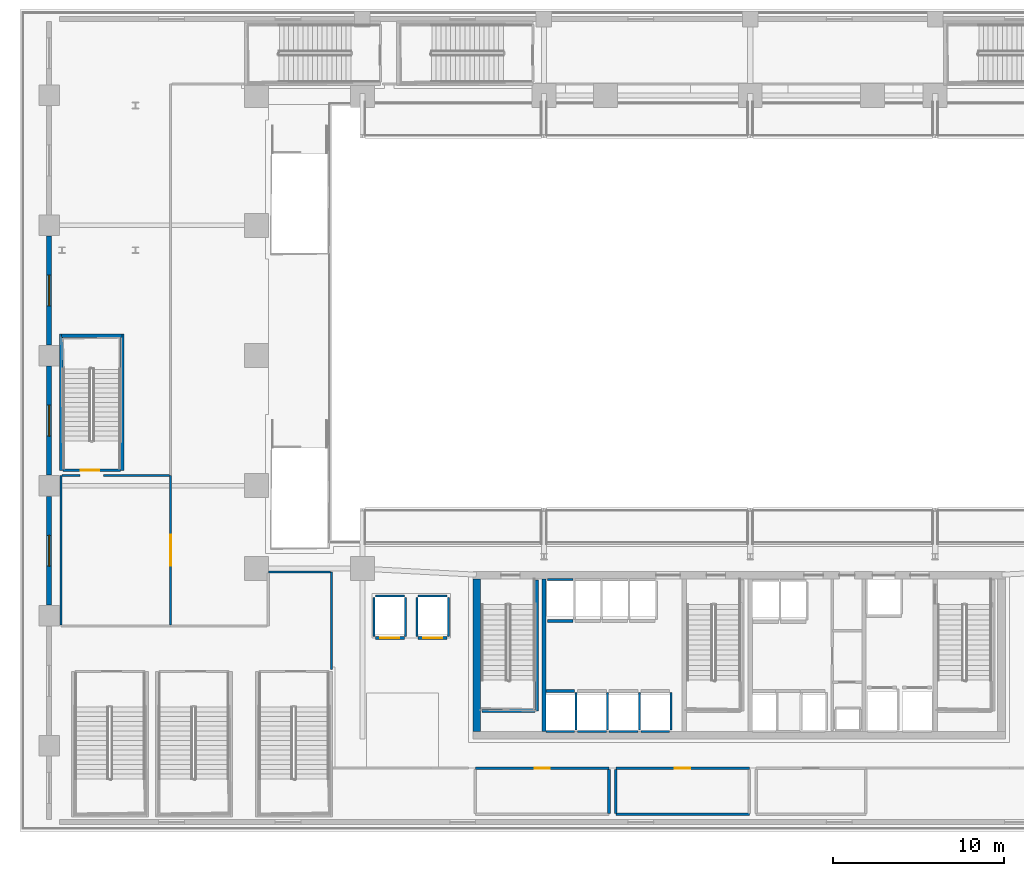
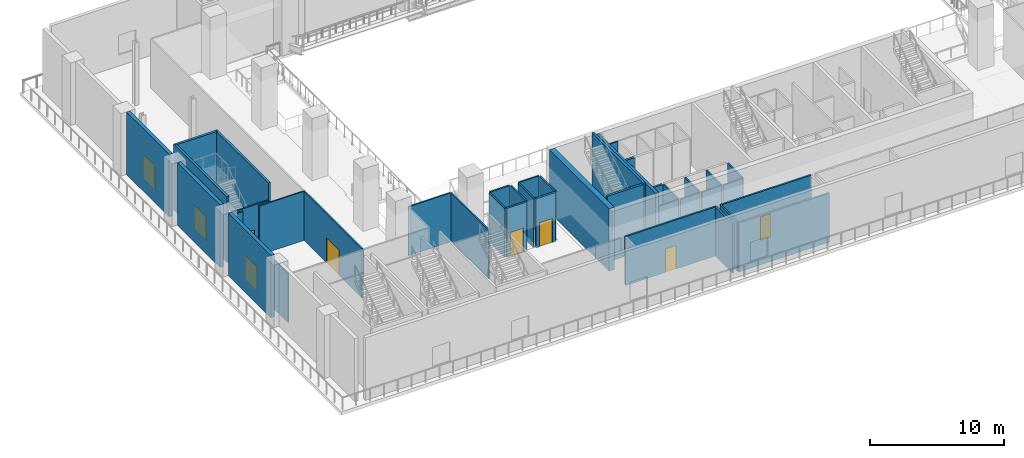
# One storey, part 7 of 28: 41 walls, 6 doors, 3 windows, 9 openings.
"""IFC4 building model written with IfcOpenShell, lengths in metres."""

from ifc_helpers import new_model, si_unit, direction, frame, frame_2d, origin, place, context, subcontext, project, spatial, rectangle, extrude, material, layer, layer_set, type_object, element, fill, save


model = new_model("IFC4")

# Units and contexts
model_context = context("Model", 3, precision=1e-05, world=origin(), true_north=direction((0.0, 1.0)))
body_context = subcontext(model_context, "Body", "Model", "MODEL_VIEW")
ifc_project = project(units=[si_unit("LENGTHUNIT", "METRE"), si_unit("AREAUNIT", "SQUARE_METRE"), si_unit("VOLUMEUNIT", "CUBIC_METRE"), si_unit("PLANEANGLEUNIT", "RADIAN"), si_unit("MASSUNIT", "GRAM", prefix="KILO")], contexts=[model_context])

# Site, building, storey
site_placement = place(None, origin())
site = spatial("IfcSite", under=ifc_project, at=site_placement, CompositionType="ELEMENT")
building_placement = place(site_placement, origin())
building = spatial("IfcBuilding", under=site, at=building_placement, Name="Ndaravel Arena Tower", CompositionType="ELEMENT")
storey_placement = place(building_placement, frame((0.0, 0.0, 18.0)))
storey = spatial("IfcBuildingStorey", under=building, at=storey_placement, Name="L03", CompositionType="ELEMENT", Elevation=18.0)

# Walls
ifc_material_1 = material(Name="Concrete C60/75", Category="concrete")
ifc_layer_1 = layer(ifc_material_1, 0.25)
ifc_layer_set_1 = layer_set([ifc_layer_1], Name="Concrete C60/75")
wall_type_1 = type_object("IfcWallType", Name="WALL-CORE-250", PredefinedType="SOLIDWALL", material=ifc_layer_set_1)
wall_1_placement = place(storey_placement, frame((30.60009765625, 5.85009765625, 0.0), z_axis=(0.0, 0.0, 1.0), x_axis=(0.0, 1.0, 0.0)))
element("IfcWall", 1, at=wall_1_placement, inside=storey, type_object=wall_type_1, Name="L03 Core Web Shear Wall 1", PredefinedType="SOLIDWALL", context=body_context, shape_type="SweptSolid", body=[
    extrude(rectangle(XDim=8.89990234375, YDim=0.25, at=frame_2d((4.449951171875, 0.0))), origin(), (0.0, 0.0, 1.0), 5.699951171875),
])
ifc_material_2 = material(Name="Concrete C60/75", Category="concrete")
ifc_layer_2 = layer(ifc_material_2, 0.449951171875)
ifc_layer_set_2 = layer_set([ifc_layer_2], Name="Concrete C60/75")
wall_type_2 = type_object("IfcWallType", Name="WALL-CORE-450", PredefinedType="SOLIDWALL", material=ifc_layer_set_2)
wall_2_placement = place(storey_placement, frame((26.675048828125, 5.85009765625, 0.0), z_axis=(0.0, 0.0, 1.0), x_axis=(0.0, 1.0, 0.0)))
element("IfcWall", 2, at=wall_2_placement, inside=storey, type_object=wall_type_2, Name="L03 Core West Shear Wall", PredefinedType="SOLIDWALL", context=body_context, shape_type="SweptSolid", body=[
    extrude(rectangle(XDim=8.89990234375, YDim=0.449951171875, at=frame_2d((4.449951171875, 0.0))), origin(), (0.0, 0.0, 1.0), 5.699951171875),
])
ifc_material_3 = material(Name="Gypsum", Category="gypsum")
ifc_layer_3 = layer(ifc_material_3, 0.125)
ifc_layer_set_3 = layer_set([ifc_layer_3], Name="Gypsum")
wall_type_3 = type_object("IfcWallType", Name="WALL-PART-125", PredefinedType="PARTITIONING", material=ifc_layer_set_3)
wall_3_placement = place(storey_placement, frame((18.199951171875, 9.469970703125, 0.0), z_axis=(0.0, 0.0, 1.0), x_axis=(0.0, 1.0, 0.0)))
element("IfcWall", 3, at=wall_3_placement, inside=storey, type_object=wall_type_3, Name="L03 Interior Partition 008", PredefinedType="PARTITIONING", context=body_context, shape_type="SweptSolid", body=[
    extrude(rectangle(XDim=5.679931640625, YDim=0.125, at=frame_2d((2.83984375, 0.0))), origin(), (0.0, 0.0, 1.0), 4.469970703125),
])
wall_4_placement = place(storey_placement, frame((18.135009765625, 15.14990234375, 0.0), z_axis=(0.0, 0.0, 1.0), x_axis=(-1.0, 0.0, 0.0)))
element("IfcWall", 4, at=wall_4_placement, inside=storey, type_object=wall_type_3, Name="L03 Interior Partition 009", PredefinedType="PARTITIONING", context=body_context, shape_type="SweptSolid", body=[
    extrude(rectangle(XDim=3.635009765625, YDim=0.125, at=frame_2d((1.8173828125, 0.0))), origin(), (0.0, 0.0, 1.0), 4.469970703125),
])

# Wall, opening, door
wall_5_placement = place(storey_placement, frame((8.800048828125, 12.06494140625, 0.0), z_axis=(0.0, 0.0, 1.0), x_axis=(0.0, 1.0, 0.0)))
wall_5 = element("IfcWall", 5, at=wall_5_placement, inside=storey, type_object=wall_type_3, Name="L03 Interior Partition 012", PredefinedType="PARTITIONING", context=body_context, shape_type="SweptSolid", body=[
    extrude(rectangle(XDim=8.735107421875, YDim=0.125, at=frame_2d((4.36767578125, 0.0))), origin(), (0.0, 0.0, 1.0), 4.469970703125),
])
opening_1_placement = place(wall_5_placement, frame((3.467529296875, 0.0, 0.0)))
opening_1 = element("IfcOpeningElement", 6, at=opening_1_placement, cuts=wall_5, Name="Opening AD-01", PredefinedType="OPENING", context=body_context, shape_type="SweptSolid", body=[
    extrude(rectangle(XDim=1.800048828125, YDim=2.300048828125, at=frame_2d((0.89990234375, 1.14990234375))), frame((0.0, 0.0625, 0.0), z_axis=(0.0, -1.0, 0.0), x_axis=(1.0, 0.0, 0.0)), (0.0, 0.0, 1.0), 0.125),
])
ifc_material_4 = material(Name="Steel S355", Category="steel")
door_type_1 = type_object("IfcDoorType", Name="DT-10-ARENA-1800", OperationType="DOUBLE_DOOR_SINGLE_SWING", PredefinedType="DOOR", material=ifc_material_4)
door_1_placement = place(opening_1_placement, origin())
door_1 = element("IfcDoor", 7, at=door_1_placement, inside=storey, type_object=door_type_1, Name="L03 Upper West Refreshment Kiosk Door", OperationType="SINGLE_SWING_RIGHT", OverallHeight=2.300048828125, OverallWidth=1.800048828125, PredefinedType="DOOR", context=body_context, shape_type="SweptSolid", body=[
    extrude(rectangle(XDim=1.800048828125, YDim=2.300048828125, at=frame_2d((0.89990234375, 1.14990234375))), frame((0.0, 0.02490234375, 0.0), z_axis=(0.0, -1.0, 0.0), x_axis=(1.0, 0.0, 0.0)), (0.0, 0.0, 1.0), 0.050048828125),
])
fill(opening_1, door_1)

# Walls
wall_6_placement = place(storey_placement, frame((2.39990234375, 12.06494140625, 0.0), z_axis=(0.0, 0.0, 1.0), x_axis=(0.0, 1.0, 0.0)))
element("IfcWall", 8, at=wall_6_placement, inside=storey, type_object=wall_type_3, Name="L03 Interior Partition 027", PredefinedType="PARTITIONING", context=body_context, shape_type="SweptSolid", body=[
    extrude(rectangle(XDim=8.735107421875, YDim=0.125, at=frame_2d((4.36767578125, 0.0))), origin(), (0.0, 0.0, 1.0), 4.469970703125),
])
wall_7_placement = place(storey_placement, frame((2.465087890625, 20.800048828125, 0.0), z_axis=(0.0, 0.0, 1.0), x_axis=(1.0, 0.0, 0.0)))
element("IfcWall", 9, at=wall_7_placement, inside=storey, type_object=wall_type_3, Name="L03 Interior Partition 028", PredefinedType="PARTITIONING", context=body_context, shape_type="SweptSolid", body=[
    extrude(rectangle(XDim=1.02490234375, YDim=0.125, at=frame_2d((0.512451171875, 0.0))), origin(), (0.0, 0.0, 1.0), 4.469970703125),
])
wall_8_placement = place(storey_placement, frame((4.889892578125, 20.800048828125, 0.0), z_axis=(0.0, 0.0, 1.0), x_axis=(1.0, 0.0, 0.0)))
element("IfcWall", 10, at=wall_8_placement, inside=storey, type_object=wall_type_3, Name="L03 Interior Partition 029", PredefinedType="PARTITIONING", context=body_context, shape_type="SweptSolid", body=[
    extrude(rectangle(XDim=3.84521484375, YDim=0.125, at=frame_2d((1.922607421875, 0.0))), origin(), (0.0, 0.0, 1.0), 4.469970703125),
])

# Wall, opening, window
ifc_material_5 = material(Name="Masonry", Category="masonry")
ifc_layer_4 = layer(ifc_material_5, 0.300048828125)
ifc_layer_set_4 = layer_set([ifc_layer_4], Name="Masonry")
wall_type_4 = type_object("IfcWallType", Name="WALL-POD-MAZERAS-300", PredefinedType="SOLIDWALL", material=ifc_layer_set_4)
wall_9_placement = place(storey_placement, frame((1.699951171875, 13.219970703125, 0.0), z_axis=(0.0, 0.0, 1.0), x_axis=(0.0, 1.0, 0.0)))
wall_9 = element("IfcWall", 11, at=wall_9_placement, inside=storey, type_object=wall_type_4, Name="L03 West Mazeras Bay 3", PredefinedType="SOLIDWALL", context=body_context, shape_type="SweptSolid", body=[
    extrude(rectangle(XDim=6.360107421875, YDim=0.300048828125, at=frame_2d((3.18017578125, 0.0))), origin(), (0.0, 0.0, 1.0), 5.699951171875),
])
opening_2_placement = place(wall_9_placement, frame((2.280029296875, 0.0, 1.0)))
opening_2 = element("IfcOpeningElement", 12, at=opening_2_placement, cuts=wall_9, Name="Opening W-PD2", PredefinedType="OPENING", context=body_context, shape_type="SweptSolid", body=[
    extrude(rectangle(XDim=1.800048828125, YDim=2.199951171875, at=frame_2d((0.89990234375, 1.10009765625))), frame((0.0, 0.14990234375, 0.0), z_axis=(0.0, -1.0, 0.0), x_axis=(1.0, 0.0, 0.0)), (0.0, 0.0, 1.0), 0.300048828125),
])
ifc_material_6 = material(Name="Glazing", Category="glass")
window_type = type_object("IfcWindowType", Name="WIN-POD-1800", PartitioningType="SINGLE_PANEL", PredefinedType="WINDOW", material=ifc_material_6)
window_1_placement = place(opening_2_placement, origin())
window_1 = element("IfcWindow", 13, at=window_1_placement, inside=storey, type_object=window_type, Name="L03 West Mazeras Window 3", OverallHeight=2.199951171875, OverallWidth=1.800048828125, PartitioningType="SINGLE_PANEL", PredefinedType="WINDOW", context=body_context, shape_type="SweptSolid", body=[
    extrude(rectangle(XDim=1.800048828125, YDim=2.199951171875, at=frame_2d((0.89990234375, 1.10009765625))), frame((0.0, 0.030029296875, 0.0), z_axis=(0.0, -1.0, 0.0), x_axis=(1.0, 0.0, 0.0)), (0.0, 0.0, 1.0), 0.06005859375),
])
fill(opening_2, window_1)

wall_10_placement = place(storey_placement, frame((1.699951171875, 20.820068359375, 0.0), z_axis=(0.0, 0.0, 1.0), x_axis=(0.0, 1.0, 0.0)))
wall_10 = element("IfcWall", 14, at=wall_10_placement, inside=storey, type_object=wall_type_4, Name="L03 West Mazeras Bay 4", PredefinedType="SOLIDWALL", context=body_context, shape_type="SweptSolid", body=[
    extrude(rectangle(XDim=6.35986328125, YDim=0.300048828125, at=frame_2d((3.179931640625, 0.0))), origin(), (0.0, 0.0, 1.0), 5.699951171875),
])
opening_3_placement = place(wall_10_placement, frame((2.280029296875, 0.0, 1.0)))
opening_3 = element("IfcOpeningElement", 15, at=opening_3_placement, cuts=wall_10, Name="Opening W-PD2", PredefinedType="OPENING", context=body_context, shape_type="SweptSolid", body=[
    extrude(rectangle(XDim=1.800048828125, YDim=2.199951171875, at=frame_2d((0.89990234375, 1.10009765625))), frame((0.0, 0.14990234375, 0.0), z_axis=(0.0, -1.0, 0.0), x_axis=(1.0, 0.0, 0.0)), (0.0, 0.0, 1.0), 0.300048828125),
])
window_2_placement = place(opening_3_placement, origin())
window_2 = element("IfcWindow", 16, at=window_2_placement, inside=storey, type_object=window_type, Name="L03 West Mazeras Window 4", OverallHeight=2.199951171875, OverallWidth=1.800048828125, PartitioningType="SINGLE_PANEL", PredefinedType="WINDOW", context=body_context, shape_type="SweptSolid", body=[
    extrude(rectangle(XDim=1.800048828125, YDim=2.199951171875, at=frame_2d((0.89990234375, 1.10009765625))), frame((0.0, 0.030029296875, 0.0), z_axis=(0.0, -1.0, 0.0), x_axis=(1.0, 0.0, 0.0)), (0.0, 0.0, 1.0), 0.06005859375),
])
fill(opening_3, window_2)

wall_11_placement = place(storey_placement, frame((1.699951171875, 28.419921875, 0.0), z_axis=(0.0, 0.0, 1.0), x_axis=(0.0, 1.0, 0.0)))
wall_11 = element("IfcWall", 17, at=wall_11_placement, inside=storey, type_object=wall_type_4, Name="L03 West Mazeras Bay 5", PredefinedType="SOLIDWALL", context=body_context, shape_type="SweptSolid", body=[
    extrude(rectangle(XDim=6.360107421875, YDim=0.300048828125, at=frame_2d((3.18017578125, 0.0))), origin(), (0.0, 0.0, 1.0), 5.699951171875),
])
opening_4_placement = place(wall_11_placement, frame((2.280029296875, 0.0, 1.0)))
opening_4 = element("IfcOpeningElement", 18, at=opening_4_placement, cuts=wall_11, Name="Opening W-PD2", PredefinedType="OPENING", context=body_context, shape_type="SweptSolid", body=[
    extrude(rectangle(XDim=1.800048828125, YDim=2.199951171875, at=frame_2d((0.89990234375, 1.10009765625))), frame((0.0, 0.14990234375, 0.0), z_axis=(0.0, -1.0, 0.0), x_axis=(1.0, 0.0, 0.0)), (0.0, 0.0, 1.0), 0.300048828125),
])
window_3_placement = place(opening_4_placement, origin())
window_3 = element("IfcWindow", 19, at=window_3_placement, inside=storey, type_object=window_type, Name="L03 West Mazeras Window 5", OverallHeight=2.199951171875, OverallWidth=1.800048828125, PartitioningType="SINGLE_PANEL", PredefinedType="WINDOW", context=body_context, shape_type="SweptSolid", body=[
    extrude(rectangle(XDim=1.800048828125, YDim=2.199951171875, at=frame_2d((0.89990234375, 1.10009765625))), frame((0.0, 0.030029296875, 0.0), z_axis=(0.0, -1.0, 0.0), x_axis=(1.0, 0.0, 0.0)), (0.0, 0.0, 1.0), 0.06005859375),
])
fill(opening_4, window_3)

# Wall, opening, door
ifc_material_7 = material(Name="Concrete C40/50", Category="concrete")
ifc_layer_5 = layer(ifc_material_7, 0.1201171875)
ifc_layer_set_5 = layer_set([ifc_layer_5], Name="Concrete C40/50")
wall_type_5 = type_object("IfcWallType", Name="WALL-SHAFT-120", PredefinedType="SOLIDWALL", material=ifc_layer_set_5)
wall_12_placement = place(storey_placement, frame((5.875, 21.10009765625, 0.0), z_axis=(0.0, 0.0, 1.0), x_axis=(-1.0, 0.0, 0.0)))
wall_12 = element("IfcWall", 20, at=wall_12_placement, inside=storey, type_object=wall_type_5, Name="L03 ST-A07 Entry Wall", PredefinedType="SOLIDWALL", context=body_context, shape_type="SweptSolid", body=[
    extrude(rectangle(XDim=3.3701171875, YDim=0.1201171875, at=frame_2d((1.68505859375, 0.0))), origin(), (0.0, 0.0, 1.0), 4.469970703125),
])
opening_5_placement = place(wall_12_placement, frame((1.239990234375, 0.0, 0.0)))
opening_5 = element("IfcOpeningElement", 21, at=opening_5_placement, cuts=wall_12, Name="Opening FD-01", PredefinedType="OPENING", context=body_context, shape_type="SweptSolid", body=[
    extrude(rectangle(XDim=1.10009765625, YDim=2.199951171875, at=frame_2d((0.550048828125, 1.10009765625))), frame((0.0, 0.06005859375, 0.0), z_axis=(0.0, -1.0, 0.0), x_axis=(1.0, 0.0, 0.0)), (0.0, 0.0, 1.0), 0.1201171875),
])
ifc_material_8 = material(Name="Steel S355", Category="steel")
door_type_2 = type_object("IfcDoorType", Name="DT-01-STAIR-1100", OperationType="SINGLE_SWING_LEFT", PredefinedType="DOOR", material=ifc_material_8)
door_2_placement = place(opening_5_placement, origin())
door_2 = element("IfcDoor", 22, at=door_2_placement, inside=storey, type_object=door_type_2, Name="L03 ST-A07 Fire Exit Stair Door", OperationType="SINGLE_SWING_RIGHT", OverallHeight=2.199951171875, OverallWidth=1.10009765625, PredefinedType="DOOR", context=body_context, shape_type="SweptSolid", body=[
    extrude(rectangle(XDim=1.10009765625, YDim=2.199951171875, at=frame_2d((0.550048828125, 1.10009765625))), frame((0.0, 0.02490234375, 0.0), z_axis=(0.0, -1.0, 0.0), x_axis=(1.0, 0.0, 0.0)), (0.0, 0.0, 1.0), 0.050048828125),
])
fill(opening_5, door_2)

# Walls
wall_13_placement = place(storey_placement, frame((30.72998046875, 5.840087890625, 0.0), z_axis=(0.0, 0.0, 1.0), x_axis=(1.0, 0.0, 0.0)))
element("IfcWall", 23, at=wall_13_placement, inside=storey, type_object=wall_type_5, Name="L03 PL-L1 Shaft Rear Wall", PredefinedType="SOLIDWALL", context=body_context, shape_type="SweptSolid", body=[
    extrude(rectangle(XDim=1.6650390625, YDim=0.1201171875, at=frame_2d((0.83251953125, 0.0))), origin(), (0.0, 0.0, 1.0), 4.469970703125),
])
wall_14_placement = place(storey_placement, frame((32.47509765625, 5.929931640625, 0.0), z_axis=(0.0, 0.0, 1.0), x_axis=(0.0, 1.0, 0.0)))
element("IfcWall", 24, at=wall_14_placement, inside=storey, type_object=wall_type_5, Name="L03 PL-L1 Shaft Side R Wall", PredefinedType="SOLIDWALL", context=body_context, shape_type="SweptSolid", body=[
    extrude(rectangle(XDim=2.18017578125, YDim=0.1201171875, at=frame_2d((1.090087890625, 0.0))), origin(), (0.0, 0.0, 1.0), 4.469970703125),
])
wall_15_placement = place(storey_placement, frame((32.554931640625, 5.840087890625, 0.0), z_axis=(0.0, 0.0, 1.0), x_axis=(1.0, 0.0, 0.0)))
element("IfcWall", 25, at=wall_15_placement, inside=storey, type_object=wall_type_5, Name="L03 PL-L2 Shaft Rear Wall", PredefinedType="SOLIDWALL", context=body_context, shape_type="SweptSolid", body=[
    extrude(rectangle(XDim=1.690185546875, YDim=0.1201171875, at=frame_2d((0.84521484375, 0.0))), origin(), (0.0, 0.0, 1.0), 4.469970703125),
])
wall_16_placement = place(storey_placement, frame((34.324951171875, 5.929931640625, 0.0), z_axis=(0.0, 0.0, 1.0), x_axis=(0.0, 1.0, 0.0)))
element("IfcWall", 26, at=wall_16_placement, inside=storey, type_object=wall_type_5, Name="L03 PL-L2 Shaft Side R Wall", PredefinedType="SOLIDWALL", context=body_context, shape_type="SweptSolid", body=[
    extrude(rectangle(XDim=2.18017578125, YDim=0.1201171875, at=frame_2d((1.090087890625, 0.0))), origin(), (0.0, 0.0, 1.0), 4.469970703125),
])
wall_17_placement = place(storey_placement, frame((34.405029296875, 5.840087890625, 0.0), z_axis=(0.0, 0.0, 1.0), x_axis=(1.0, 0.0, 0.0)))
element("IfcWall", 27, at=wall_17_placement, inside=storey, type_object=wall_type_5, Name="L03 PL-L3 Shaft Rear Wall", PredefinedType="SOLIDWALL", context=body_context, shape_type="SweptSolid", body=[
    extrude(rectangle(XDim=1.68994140625, YDim=0.1201171875, at=frame_2d((0.844970703125, 0.0))), origin(), (0.0, 0.0, 1.0), 4.469970703125),
])
wall_18_placement = place(storey_placement, frame((36.175048828125, 5.929931640625, 0.0), z_axis=(0.0, 0.0, 1.0), x_axis=(0.0, 1.0, 0.0)))
element("IfcWall", 28, at=wall_18_placement, inside=storey, type_object=wall_type_5, Name="L03 PL-L3 Shaft Side R Wall", PredefinedType="SOLIDWALL", context=body_context, shape_type="SweptSolid", body=[
    extrude(rectangle(XDim=2.18017578125, YDim=0.1201171875, at=frame_2d((1.090087890625, 0.0))), origin(), (0.0, 0.0, 1.0), 4.469970703125),
])
wall_19_placement = place(storey_placement, frame((36.2548828125, 5.840087890625, 0.0), z_axis=(0.0, 0.0, 1.0), x_axis=(1.0, 0.0, 0.0)))
element("IfcWall", 29, at=wall_19_placement, inside=storey, type_object=wall_type_5, Name="L03 PL-L4 Shaft Rear Wall", PredefinedType="SOLIDWALL", context=body_context, shape_type="SweptSolid", body=[
    extrude(rectangle(XDim=1.690185546875, YDim=0.1201171875, at=frame_2d((0.84521484375, 0.0))), origin(), (0.0, 0.0, 1.0), 4.469970703125),
])
wall_20_placement = place(storey_placement, frame((38.02490234375, 5.929931640625, 0.0), z_axis=(0.0, 0.0, 1.0), x_axis=(0.0, 1.0, 0.0)))
element("IfcWall", 30, at=wall_20_placement, inside=storey, type_object=wall_type_5, Name="L03 PL-L4 Shaft Side R Wall", PredefinedType="SOLIDWALL", context=body_context, shape_type="SweptSolid", body=[
    extrude(rectangle(XDim=2.18017578125, YDim=0.1201171875, at=frame_2d((1.090087890625, 0.0))), origin(), (0.0, 0.0, 1.0), 4.469970703125),
])
wall_21_placement = place(storey_placement, frame((30.804931640625, 14.7099609375, 0.0), z_axis=(0.0, 0.0, 1.0), x_axis=(1.0, 0.0, 0.0)))
element("IfcWall", 31, at=wall_21_placement, inside=storey, type_object=wall_type_5, Name="L03 PL-M1 Shaft Rear Wall", PredefinedType="SOLIDWALL", context=body_context, shape_type="SweptSolid", body=[
    extrude(rectangle(XDim=1.489990234375, YDim=0.1201171875, at=frame_2d((0.7451171875, 0.0))), origin(), (0.0, 0.0, 1.0), 4.469970703125),
])
wall_22_placement = place(storey_placement, frame((20.7548828125, 13.760009765625, 0.0), z_axis=(0.0, 0.0, 1.0), x_axis=(1.0, 0.0, 0.0)))
element("IfcWall", 32, at=wall_22_placement, inside=storey, type_object=wall_type_5, Name="L03 PL-A1 Shaft Rear Wall", PredefinedType="SOLIDWALL", context=body_context, shape_type="SweptSolid", body=[
    extrude(rectangle(XDim=1.690185546875, YDim=0.1201171875, at=frame_2d((0.84521484375, 0.0))), origin(), (0.0, 0.0, 1.0), 4.469970703125),
])
for number, where, z_axis, x_axis, name in (
    (33, (20.675048828125, 11.389892578125, 0.0), (0.0, 0.0, 1.0), (0.0, 1.0, 0.0), "L03 PL-A1 Shaft Side L Wall"),
    (34, (22.52490234375, 11.389892578125, 0.0), (0.0, 0.0, 1.0), (0.0, 1.0, 0.0), "L03 PL-A1 Shaft Side R Wall"),
):
    element("IfcWall", number, at=place(storey_placement, frame(where, z_axis=z_axis, x_axis=x_axis)), inside=storey, type_object=wall_type_5, Name=name, PredefinedType="SOLIDWALL", context=body_context, shape_type="SweptSolid", body=[
        extrude(rectangle(XDim=2.280029296875, YDim=0.1201171875, at=frame_2d((1.14013671875, 0.0))), origin(), (0.0, 0.0, 1.0), 4.469970703125),
    ])
wall_23_placement = place(storey_placement, frame((23.2548828125, 13.760009765625, 0.0), z_axis=(0.0, 0.0, 1.0), x_axis=(1.0, 0.0, 0.0)))
element("IfcWall", 35, at=wall_23_placement, inside=storey, type_object=wall_type_5, Name="L03 PL-A2 Shaft Rear Wall", PredefinedType="SOLIDWALL", context=body_context, shape_type="SweptSolid", body=[
    extrude(rectangle(XDim=1.690185546875, YDim=0.1201171875, at=frame_2d((0.84521484375, 0.0))), origin(), (0.0, 0.0, 1.0), 4.469970703125),
])
for number, where, z_axis, x_axis, name in (
    (36, (23.175048828125, 11.389892578125, 0.0), (0.0, 0.0, 1.0), (0.0, 1.0, 0.0), "L03 PL-A2 Shaft Side L Wall"),
    (37, (25.02490234375, 11.389892578125, 0.0), (0.0, 0.0, 1.0), (0.0, 1.0, 0.0), "L03 PL-A2 Shaft Side R Wall"),
):
    element("IfcWall", number, at=place(storey_placement, frame(where, z_axis=z_axis, x_axis=x_axis)), inside=storey, type_object=wall_type_5, Name=name, PredefinedType="SOLIDWALL", context=body_context, shape_type="SweptSolid", body=[
        extrude(rectangle(XDim=2.280029296875, YDim=0.1201171875, at=frame_2d((1.14013671875, 0.0))), origin(), (0.0, 0.0, 1.0), 4.469970703125),
    ])
ifc_material_9 = material(Name="Concrete C40/50", Category="concrete")
ifc_layer_6 = layer(ifc_material_9, 0.199951171875)
ifc_layer_set_6 = layer_set([ifc_layer_6], Name="Concrete C40/50")
wall_type_6 = type_object("IfcWallType", Name="WALL-SHAFT-200", PredefinedType="SOLIDWALL", material=ifc_layer_set_6)
wall_24_placement = place(storey_placement, frame((30.18994140625, 14.699951171875, 0.0), z_axis=(0.0, 0.0, 1.0), x_axis=(0.0, -1.0, 0.0)))
element("IfcWall", 38, at=wall_24_placement, inside=storey, type_object=wall_type_6, Name="L03 ST-1 Structural Shaft Wall Right", PredefinedType="SOLIDWALL", context=body_context, shape_type="SweptSolid", body=[
    extrude(rectangle(XDim=7.64990234375, YDim=0.199951171875, at=frame_2d((3.824951171875, 0.0))), origin(), (0.0, 0.0, 1.0), 6.0),
])
wall_25_placement = place(storey_placement, frame((26.969970703125, 7.050048828125, 0.0), z_axis=(0.0, 0.0, 1.0), x_axis=(1.0, 0.0, 0.0)))
element("IfcWall", 39, at=wall_25_placement, inside=storey, type_object=wall_type_6, Name="L03 ST-1 Structural Shaft Wall Far", PredefinedType="SOLIDWALL", context=body_context, shape_type="SweptSolid", body=[
    extrude(rectangle(XDim=3.114990234375, YDim=0.199951171875, at=frame_2d((1.5576171875, 0.0))), origin(), (0.0, 0.0, 1.0), 6.0),
])
for number, where, z_axis, x_axis, name in (
    (40, (5.97998046875, 21.10009765625, 0.0), (0.0, 0.0, 1.0), (0.0, 1.0, 0.0), "L03 ST-A07 Shaft Wall Left"),
    (41, (2.39990234375, 21.10009765625, 0.0), (0.0, 0.0, 1.0), (0.0, 1.0, 0.0), "L03 ST-A07 Shaft Wall Right"),
):
    element("IfcWall", number, at=place(storey_placement, frame(where, z_axis=z_axis, x_axis=x_axis)), inside=storey, type_object=wall_type_6, Name=name, PredefinedType="SOLIDWALL", context=body_context, shape_type="SweptSolid", body=[
        extrude(rectangle(XDim=7.949951171875, YDim=0.199951171875, at=frame_2d((3.97509765625, 0.0))), origin(), (0.0, 0.0, 1.0), 6.0),
    ])
wall_26_placement = place(storey_placement, frame((5.969970703125, 28.949951171875, 0.0), z_axis=(0.0, 0.0, 1.0), x_axis=(-1.0, 0.0, 0.0)))
element("IfcWall", 42, at=wall_26_placement, inside=storey, type_object=wall_type_6, Name="L03 ST-A07 Shaft Wall Far", PredefinedType="SOLIDWALL", context=body_context, shape_type="SweptSolid", body=[
    extrude(rectangle(XDim=3.56005859375, YDim=0.199951171875, at=frame_2d((1.780029296875, 0.0))), origin(), (0.0, 0.0, 1.0), 6.0),
])
wall_27_placement = place(storey_placement, frame((30.72998046875, 8.199951171875, 0.0), z_axis=(0.0, 0.0, 1.0), x_axis=(1.0, 0.0, 0.0)))
element("IfcWall", 43, at=wall_27_placement, inside=storey, type_object=wall_type_6, Name="L03 PL-L1 Shaft Landing Wall", PredefinedType="SOLIDWALL", context=body_context, shape_type="SweptSolid", body=[
    extrude(rectangle(XDim=1.6650390625, YDim=0.179931640625, at=frame_2d((0.83251953125, 0.0))), origin(), (0.0, 0.0, 1.0), 4.469970703125),
])
wall_28_placement = place(storey_placement, frame((30.804931640625, 12.300048828125, 0.0), z_axis=(0.0, 0.0, 1.0), x_axis=(1.0, 0.0, 0.0)))
element("IfcWall", 44, at=wall_28_placement, inside=storey, type_object=wall_type_6, Name="L03 PL-M1 Shaft Landing Wall", PredefinedType="SOLIDWALL", context=body_context, shape_type="SweptSolid", body=[
    extrude(rectangle(XDim=1.489990234375, YDim=0.179931640625, at=frame_2d((0.7451171875, 0.0))), origin(), (0.0, 0.0, 1.0), 4.469970703125),
])

# Wall, opening, door
wall_29_placement = place(storey_placement, frame((20.7548828125, 11.300048828125, 0.0), z_axis=(0.0, 0.0, 1.0), x_axis=(1.0, 0.0, 0.0)))
wall_29 = element("IfcWall", 45, at=wall_29_placement, inside=storey, type_object=wall_type_6, Name="L03 PL-A1 Shaft Landing Wall", PredefinedType="SOLIDWALL", context=body_context, shape_type="SweptSolid", body=[
    extrude(rectangle(XDim=1.690185546875, YDim=0.179931640625, at=frame_2d((0.84521484375, 0.0))), origin(), (0.0, 0.0, 1.0), 4.469970703125),
])
opening_6_placement = place(wall_29_placement, frame((0.294921875, 0.0, 0.0)))
opening_6 = element("IfcOpeningElement", 46, at=opening_6_placement, cuts=wall_29, Name="Opening LD-01", PredefinedType="OPENING", context=body_context, shape_type="SweptSolid", body=[
    extrude(rectangle(XDim=1.10009765625, YDim=2.199951171875, at=frame_2d((0.550048828125, 1.10009765625))), frame((0.0, 0.08984375, 0.0), z_axis=(0.0, -1.0, 0.0), x_axis=(1.0, 0.0, 0.0)), (0.0, 0.0, 1.0), 0.179931640625),
])
ifc_material_10 = material(Name="Steel S355", Category="steel")
door_type_3 = type_object("IfcDoorType", Name="DT-06-LIFT-1100", OperationType="SLIDING_TO_LEFT", PredefinedType="DOOR", material=ifc_material_10)
door_3_placement = place(opening_6_placement, origin())
door_3 = element("IfcDoor", 47, at=door_3_placement, inside=storey, type_object=door_type_3, Name="L03 Lift PL-A1 Sliding Landing Door", OperationType="SLIDING_TO_LEFT", OverallHeight=2.199951171875, OverallWidth=1.10009765625, PredefinedType="DOOR", context=body_context, shape_type="SweptSolid", body=[
    extrude(rectangle(XDim=1.10009765625, YDim=2.199951171875, at=frame_2d((0.550048828125, 1.10009765625))), frame((0.0, 0.02490234375, 0.0), z_axis=(0.0, -1.0, 0.0), x_axis=(1.0, 0.0, 0.0)), (0.0, 0.0, 1.0), 0.050048828125),
])
fill(opening_6, door_3)

wall_30_placement = place(storey_placement, frame((23.2548828125, 11.300048828125, 0.0), z_axis=(0.0, 0.0, 1.0), x_axis=(1.0, 0.0, 0.0)))
wall_30 = element("IfcWall", 48, at=wall_30_placement, inside=storey, type_object=wall_type_6, Name="L03 PL-A2 Shaft Landing Wall", PredefinedType="SOLIDWALL", context=body_context, shape_type="SweptSolid", body=[
    extrude(rectangle(XDim=1.690185546875, YDim=0.179931640625, at=frame_2d((0.84521484375, 0.0))), origin(), (0.0, 0.0, 1.0), 4.469970703125),
])
opening_7_placement = place(wall_30_placement, frame((0.294921875, 0.0, 0.0)))
opening_7 = element("IfcOpeningElement", 49, at=opening_7_placement, cuts=wall_30, Name="Opening LD-01", PredefinedType="OPENING", context=body_context, shape_type="SweptSolid", body=[
    extrude(rectangle(XDim=1.10009765625, YDim=2.199951171875, at=frame_2d((0.550048828125, 1.10009765625))), frame((0.0, 0.08984375, 0.0), z_axis=(0.0, -1.0, 0.0), x_axis=(1.0, 0.0, 0.0)), (0.0, 0.0, 1.0), 0.179931640625),
])
door_4_placement = place(opening_7_placement, origin())
door_4 = element("IfcDoor", 50, at=door_4_placement, inside=storey, type_object=door_type_3, Name="L03 Lift PL-A2 Sliding Landing Door", OperationType="SLIDING_TO_LEFT", OverallHeight=2.199951171875, OverallWidth=1.10009765625, PredefinedType="DOOR", context=body_context, shape_type="SweptSolid", body=[
    extrude(rectangle(XDim=1.10009765625, YDim=2.199951171875, at=frame_2d((0.550048828125, 1.10009765625))), frame((0.0, 0.02490234375, 0.0), z_axis=(0.0, -1.0, 0.0), x_axis=(1.0, 0.0, 0.0)), (0.0, 0.0, 1.0), 0.050048828125),
])
fill(opening_7, door_4)

ifc_material_11 = material(Name="Masonry", Category="masonry")
ifc_layer_7 = layer(ifc_material_11, 0.14990234375)
ifc_layer_set_7 = layer_set([ifc_layer_7], Name="Masonry")
wall_type_7 = type_object("IfcWallType", Name="WALL-WET-150", PredefinedType="PARTITIONING", material=ifc_layer_set_7)
wall_31_placement = place(storey_placement, frame((42.60009765625, 3.699951171875, 0.0), z_axis=(0.0, 0.0, 1.0), x_axis=(-1.0, 0.0, 0.0)))
wall_31 = element("IfcWall", 51, at=wall_31_placement, inside=storey, type_object=wall_type_7, Name="L03 Interior Partition 004", PredefinedType="PARTITIONING", context=body_context, shape_type="SweptSolid", body=[
    extrude(rectangle(XDim=7.800048828125, YDim=0.14990234375, at=frame_2d((3.89990234375, 0.0))), origin(), (0.0, 0.0, 1.0), 4.469970703125),
])
opening_8_placement = place(wall_31_placement, frame((3.449951171875, 0.0, 0.0)))
opening_8 = element("IfcOpeningElement", 52, at=opening_8_placement, cuts=wall_31, Name="Opening WD-01", PredefinedType="OPENING", context=body_context, shape_type="SweptSolid", body=[
    extrude(rectangle(XDim=0.89990234375, YDim=2.14990234375, at=frame_2d((0.449951171875, 1.074951171875))), frame((0.0, 0.074951171875, 0.0), z_axis=(0.0, -1.0, 0.0), x_axis=(1.0, 0.0, 0.0)), (0.0, 0.0, 1.0), 0.14990234375),
])
ifc_material_12 = material(Name="Timber", Category="wood")
door_type_4 = type_object("IfcDoorType", Name="DT-05-WC-900", OperationType="SINGLE_SWING_LEFT", PredefinedType="DOOR", material=ifc_material_12)
door_5_placement = place(opening_8_placement, origin())
door_5 = element("IfcDoor", 53, at=door_5_placement, inside=storey, type_object=door_type_4, Name="L03 Upper Female Restroom Door", OperationType="SINGLE_SWING_LEFT", OverallHeight=2.14990234375, OverallWidth=0.89990234375, PredefinedType="DOOR", context=body_context, shape_type="SweptSolid", body=[
    extrude(rectangle(XDim=0.89990234375, YDim=2.14990234375, at=frame_2d((0.449951171875, 1.074951171875))), frame((0.0, 0.02490234375, 0.0), z_axis=(0.0, -1.0, 0.0), x_axis=(1.0, 0.0, 0.0)), (0.0, 0.0, 1.0), 0.050048828125),
])
fill(opening_8, door_5)

wall_32_placement = place(storey_placement, frame((34.39990234375, 3.699951171875, 0.0), z_axis=(0.0, 0.0, 1.0), x_axis=(-1.0, 0.0, 0.0)))
wall_32 = element("IfcWall", 54, at=wall_32_placement, inside=storey, type_object=wall_type_7, Name="L03 Interior Partition 005", PredefinedType="PARTITIONING", context=body_context, shape_type="SweptSolid", body=[
    extrude(rectangle(XDim=7.7998046875, YDim=0.14990234375, at=frame_2d((3.89990234375, 0.0))), origin(), (0.0, 0.0, 1.0), 4.469970703125),
])
opening_9_placement = place(wall_32_placement, frame((3.449951171875, 0.0, 0.0)))
opening_9 = element("IfcOpeningElement", 55, at=opening_9_placement, cuts=wall_32, Name="Opening WD-01", PredefinedType="OPENING", context=body_context, shape_type="SweptSolid", body=[
    extrude(rectangle(XDim=0.89990234375, YDim=2.14990234375, at=frame_2d((0.449951171875, 1.074951171875))), frame((0.0, 0.074951171875, 0.0), z_axis=(0.0, -1.0, 0.0), x_axis=(1.0, 0.0, 0.0)), (0.0, 0.0, 1.0), 0.14990234375),
])
door_6_placement = place(opening_9_placement, origin())
door_6 = element("IfcDoor", 56, at=door_6_placement, inside=storey, type_object=door_type_4, Name="L03 Upper Male Restroom Door", OperationType="SINGLE_SWING_RIGHT", OverallHeight=2.14990234375, OverallWidth=0.89990234375, PredefinedType="DOOR", context=body_context, shape_type="SweptSolid", body=[
    extrude(rectangle(XDim=0.89990234375, YDim=2.14990234375, at=frame_2d((0.449951171875, 1.074951171875))), frame((0.0, 0.02490234375, 0.0), z_axis=(0.0, -1.0, 0.0), x_axis=(1.0, 0.0, 0.0)), (0.0, 0.0, 1.0), 0.050048828125),
])
fill(opening_9, door_6)

# Walls
wall_33_placement = place(storey_placement, frame((34.39990234375, 3.635009765625, 0.0), z_axis=(0.0, 0.0, 1.0), x_axis=(0.0, -1.0, 0.0)))
element("IfcWall", 57, at=wall_33_placement, inside=storey, type_object=wall_type_7, Name="L03 Interior Partition 035", PredefinedType="PARTITIONING", context=body_context, shape_type="SweptSolid", body=[
    extrude(rectangle(XDim=2.570068359375, YDim=0.14990234375, at=frame_2d((1.28515625, 0.0))), origin(), (0.0, 0.0, 1.0), 4.469970703125),
])
wall_34_placement = place(storey_placement, frame((42.60009765625, 1.0, 0.0), z_axis=(0.0, 0.0, 1.0), x_axis=(-1.0, 0.0, 0.0)))
element("IfcWall", 58, at=wall_34_placement, inside=storey, type_object=wall_type_7, Name="L03 Interior Partition 036", PredefinedType="PARTITIONING", context=body_context, shape_type="SweptSolid", body=[
    extrude(rectangle(XDim=7.800048828125, YDim=0.14990234375, at=frame_2d((3.89990234375, 0.0))), origin(), (0.0, 0.0, 1.0), 4.469970703125),
])
wall_35_placement = place(storey_placement, frame((34.800048828125, 1.06494140625, 0.0), z_axis=(0.0, 0.0, 1.0), x_axis=(0.0, 1.0, 0.0)))
element("IfcWall", 59, at=wall_35_placement, inside=storey, type_object=wall_type_7, Name="L03 Interior Partition 037", PredefinedType="PARTITIONING", context=body_context, shape_type="SweptSolid", body=[
    extrude(rectangle(XDim=2.570068359375, YDim=0.14990234375, at=frame_2d((1.28515625, 0.0))), origin(), (0.0, 0.0, 1.0), 4.469970703125),
])

save(model, "model.ifc")
